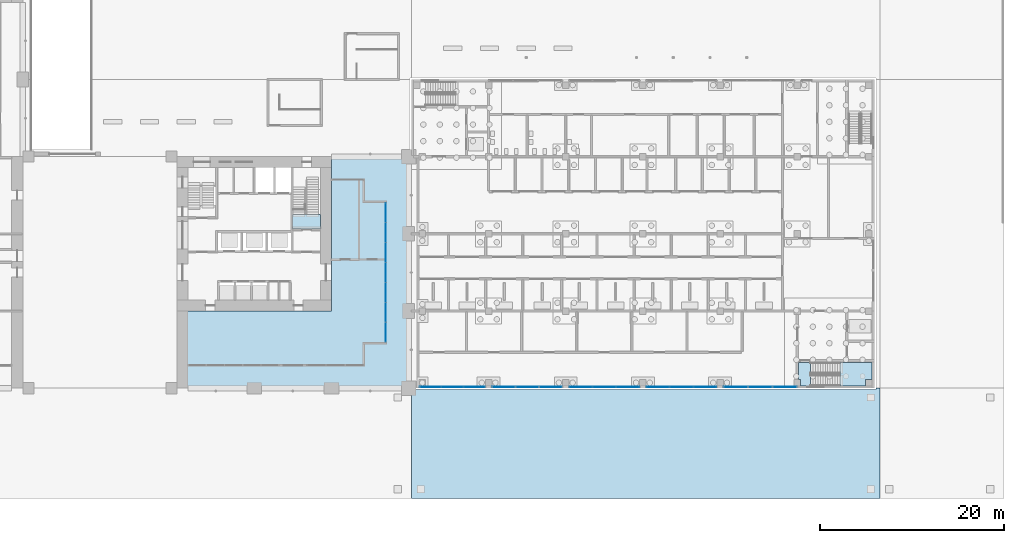
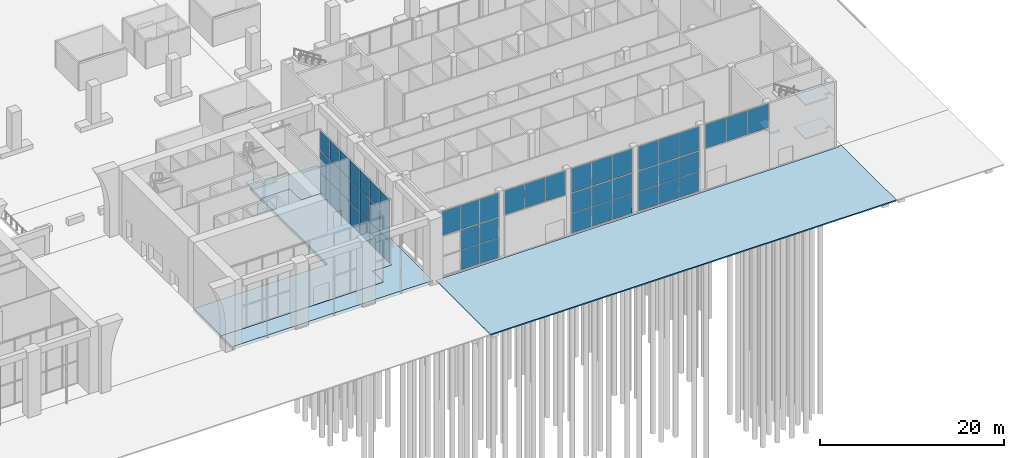
# One storey, part 15 of 46: 52 plates, 8 slabs, 11 elements without a shape of their own.
"""IFC4 building model written with IfcOpenShell, lengths in metres."""

from ifc_helpers import new_model, si_unit, direction, frame, origin, origin_2d, place, context, subcontext, project, spatial, polyline, rectangle, outline, extrude, material, layer, layer_set, type_object, element, aggregate, save


model = new_model("IFC4")

# Units and contexts
model_context = context("Model", 3, precision=1e-05, world=origin(), true_north=direction((0.0, 1.0)))
body_context = subcontext(model_context, "Body", "Model", "MODEL_VIEW")
ifc_project = project(units=[si_unit("LENGTHUNIT", "METRE"), si_unit("AREAUNIT", "SQUARE_METRE"), si_unit("VOLUMEUNIT", "CUBIC_METRE"), si_unit("PLANEANGLEUNIT", "RADIAN"), si_unit("MASSUNIT", "GRAM", prefix="KILO")], contexts=[model_context])

# Site, building, storey
site_placement = place(None, origin())
site = spatial("IfcSite", under=ifc_project, at=site_placement, CompositionType="ELEMENT")
building_placement = place(site_placement, origin())
building = spatial("IfcBuilding", under=site, at=building_placement, Name="Vermilion Gate Residences", CompositionType="ELEMENT")
storey_placement = place(building_placement, origin())
storey = spatial("IfcBuildingStorey", under=building, at=storey_placement, Name="L00", CompositionType="ELEMENT", Elevation=0.0)

# Curtain wall, plates
ifc_material_1 = material(Name="Aluminium and glass", Category="aluminium")
ifc_layer_1 = layer(ifc_material_1, 0.159912109375)
ifc_layer_set_1 = layer_set([ifc_layer_1], Name="SHOPFRONT CURTAIN WALL (MARKET HALL)")
curtain_wall_type_1 = type_object("IfcCurtainWallType", Name="SHOPFRONT CURTAIN WALL (MARKET HALL)", PredefinedType="NOTDEFINED", material=ifc_layer_set_1)
curtain_wall_1_placement = place(storey_placement, origin())
curtain_wall_1 = element("IfcCurtainWall", 1, at=curtain_wall_1_placement, inside=storey, type_object=curtain_wall_type_1, Name="Shopfront glazing", PredefinedType="NOTDEFINED")
ifc_material_2 = material(Name="Glass", Category="glass")
ifc_layer_2 = layer(ifc_material_2, 0.028076171875)
ifc_layer_set_2 = layer_set([ifc_layer_2], Name="GLAZING PANEL 28 (MARKET HALL)")
plate_type_1 = type_object("IfcPlateType", Name="GLAZING PANEL 28 (MARKET HALL)", PredefinedType="CURTAIN_PANEL", material=ifc_layer_set_2)
plate_1_placement = place(storey_placement, frame((71.949951171875, 0.125, 0.06005859375), z_axis=(0.0, 0.0, 1.0), x_axis=(1.0, 0.0, 0.0)))
plate_1 = element("IfcPlate", 2, at=plate_1_placement, type_object=plate_type_1, Name="HC3 panel 2.1", PredefinedType="CURTAIN_PANEL", context=body_context, shape_type="SweptSolid", body=[
    extrude(rectangle(XDim=2.340087890625, YDim=0.028076171875, at=origin_2d()), origin(), (0.0, 0.0, 1.0), 2.610107421875),
])
plate_2_placement = place(storey_placement, frame((71.949951171875, 0.125, 2.72998046875), z_axis=(0.0, 0.0, 1.0), x_axis=(1.0, 0.0, 0.0)))
plate_2 = element("IfcPlate", 3, at=plate_2_placement, type_object=plate_type_1, Name="HC3 panel 2.2", PredefinedType="CURTAIN_PANEL", context=body_context, shape_type="SweptSolid", body=[
    extrude(rectangle(XDim=2.340087890625, YDim=0.028076171875, at=origin_2d()), origin(), (0.0, 0.0, 1.0), 2.610107421875),
])
plate_3_placement = place(storey_placement, frame((74.3349609375, 0.125, 0.06005859375), z_axis=(0.0, 0.0, 1.0), x_axis=(1.0, 0.0, 0.0)))
plate_3 = element("IfcPlate", 4, at=plate_3_placement, type_object=plate_type_1, Name="HC3 panel 3.1", PredefinedType="CURTAIN_PANEL", context=body_context, shape_type="SweptSolid", body=[
    extrude(rectangle(XDim=2.31005859375, YDim=0.028076171875, at=origin_2d()), origin(), (0.0, 0.0, 1.0), 2.610107421875),
])
plate_4_placement = place(storey_placement, frame((74.3349609375, 0.125, 2.72998046875), z_axis=(0.0, 0.0, 1.0), x_axis=(1.0, 0.0, 0.0)))
plate_4 = element("IfcPlate", 5, at=plate_4_placement, type_object=plate_type_1, Name="HC3 panel 3.2", PredefinedType="CURTAIN_PANEL", context=body_context, shape_type="SweptSolid", body=[
    extrude(rectangle(XDim=2.31005859375, YDim=0.028076171875, at=origin_2d()), origin(), (0.0, 0.0, 1.0), 2.610107421875),
])
aggregate(curtain_wall_1, [plate_1, plate_2, plate_3, plate_4])

ifc_material_3 = material(Name="Aluminium and glass", Category="aluminium")
ifc_layer_3 = layer(ifc_material_3, 0.159912109375)
ifc_layer_set_3 = layer_set([ifc_layer_3], Name="CLERESTORY CURTAIN WALL (MARKET HALL)")
curtain_wall_type_2 = type_object("IfcCurtainWallType", Name="CLERESTORY CURTAIN WALL (MARKET HALL)", PredefinedType="NOTDEFINED", material=ifc_layer_set_3)
curtain_wall_2_placement = place(storey_placement, origin())
curtain_wall_2 = element("IfcCurtainWall", 6, at=curtain_wall_2_placement, inside=storey, type_object=curtain_wall_type_2, Name="Clerestory glazing", PredefinedType="NOTDEFINED")
plate_5_placement = place(storey_placement, frame((69.56494140625, 0.125, 5.4599609375), z_axis=(0.0, 0.0, 1.0), x_axis=(1.0, 0.0, 0.0)))
plate_5 = element("IfcPlate", 7, at=plate_5_placement, type_object=plate_type_1, Name="HC4 panel 1.1", PredefinedType="CURTAIN_PANEL", context=body_context, shape_type="SweptSolid", body=[
    extrude(rectangle(XDim=2.31005859375, YDim=0.028076171875, at=origin_2d()), origin(), (0.0, 0.0, 1.0), 3.179931640625),
])
plate_6_placement = place(storey_placement, frame((71.949951171875, 0.125, 5.4599609375), z_axis=(0.0, 0.0, 1.0), x_axis=(1.0, 0.0, 0.0)))
plate_6 = element("IfcPlate", 8, at=plate_6_placement, type_object=plate_type_1, Name="HC4 panel 2.1", PredefinedType="CURTAIN_PANEL", context=body_context, shape_type="SweptSolid", body=[
    extrude(rectangle(XDim=2.340087890625, YDim=0.028076171875, at=origin_2d()), origin(), (0.0, 0.0, 1.0), 3.179931640625),
])
plate_7_placement = place(storey_placement, frame((74.3349609375, 0.125, 5.4599609375), z_axis=(0.0, 0.0, 1.0), x_axis=(1.0, 0.0, 0.0)))
plate_7 = element("IfcPlate", 9, at=plate_7_placement, type_object=plate_type_1, Name="HC4 panel 3.1", PredefinedType="CURTAIN_PANEL", context=body_context, shape_type="SweptSolid", body=[
    extrude(rectangle(XDim=2.31005859375, YDim=0.028076171875, at=origin_2d()), origin(), (0.0, 0.0, 1.0), 3.179931640625),
])
aggregate(curtain_wall_2, [plate_5, plate_6, plate_7])

curtain_wall_3_placement = place(storey_placement, origin())
curtain_wall_3 = element("IfcCurtainWall", 10, at=curtain_wall_3_placement, inside=storey, type_object=curtain_wall_type_2, Name="Clerestory glazing", PredefinedType="NOTDEFINED")
plate_8_placement = place(storey_placement, frame((77.54833984375, 0.125, 5.4599609375), z_axis=(0.0, 0.0, 1.0), x_axis=(1.0, 0.0, 0.0)))
plate_8 = element("IfcPlate", 11, at=plate_8_placement, type_object=plate_type_1, Name="HC4 panel 1.1", PredefinedType="CURTAIN_PANEL", context=body_context, shape_type="SweptSolid", body=[
    extrude(rectangle(XDim=2.4765625, YDim=0.028076171875, at=origin_2d()), origin(), (0.0, 0.0, 1.0), 3.179931640625),
])
plate_9_placement = place(storey_placement, frame((80.10009765625, 0.125, 5.4599609375), z_axis=(0.0, 0.0, 1.0), x_axis=(1.0, 0.0, 0.0)))
plate_9 = element("IfcPlate", 12, at=plate_9_placement, type_object=plate_type_1, Name="HC4 panel 2.1", PredefinedType="CURTAIN_PANEL", context=body_context, shape_type="SweptSolid", body=[
    extrude(rectangle(XDim=2.506591796875, YDim=0.028076171875, at=origin_2d()), origin(), (0.0, 0.0, 1.0), 3.179931640625),
])
plate_10_placement = place(storey_placement, frame((82.651611328125, 0.125, 5.4599609375), z_axis=(0.0, 0.0, 1.0), x_axis=(1.0, 0.0, 0.0)))
plate_10 = element("IfcPlate", 13, at=plate_10_placement, type_object=plate_type_1, Name="HC4 panel 3.1", PredefinedType="CURTAIN_PANEL", context=body_context, shape_type="SweptSolid", body=[
    extrude(rectangle(XDim=2.4765625, YDim=0.028076171875, at=origin_2d()), origin(), (0.0, 0.0, 1.0), 3.179931640625),
])
aggregate(curtain_wall_3, [plate_8, plate_9, plate_10])

curtain_wall_4_placement = place(storey_placement, origin())
curtain_wall_4 = element("IfcCurtainWall", 14, at=curtain_wall_4_placement, inside=storey, type_object=curtain_wall_type_1, Name="Shopfront glazing", PredefinedType="NOTDEFINED")
plate_11_placement = place(storey_placement, frame((85.9482421875, 0.125, 0.06005859375), z_axis=(0.0, 0.0, 1.0), x_axis=(1.0, 0.0, 0.0)))
plate_11 = element("IfcPlate", 15, at=plate_11_placement, type_object=plate_type_1, Name="HC3 panel 1.1", PredefinedType="CURTAIN_PANEL", context=body_context, shape_type="SweptSolid", body=[
    extrude(rectangle(XDim=2.4765625, YDim=0.028076171875, at=origin_2d()), origin(), (0.0, 0.0, 1.0), 2.610107421875),
])
plate_12_placement = place(storey_placement, frame((85.9482421875, 0.125, 2.72998046875), z_axis=(0.0, 0.0, 1.0), x_axis=(1.0, 0.0, 0.0)))
plate_12 = element("IfcPlate", 16, at=plate_12_placement, type_object=plate_type_1, Name="HC3 panel 1.2", PredefinedType="CURTAIN_PANEL", context=body_context, shape_type="SweptSolid", body=[
    extrude(rectangle(XDim=2.4765625, YDim=0.028076171875, at=origin_2d()), origin(), (0.0, 0.0, 1.0), 2.610107421875),
])
plate_13_placement = place(storey_placement, frame((88.5, 0.125, 0.06005859375), z_axis=(0.0, 0.0, 1.0), x_axis=(1.0, 0.0, 0.0)))
plate_13 = element("IfcPlate", 17, at=plate_13_placement, type_object=plate_type_1, Name="HC3 panel 2.1", PredefinedType="CURTAIN_PANEL", context=body_context, shape_type="SweptSolid", body=[
    extrude(rectangle(XDim=2.506591796875, YDim=0.028076171875, at=origin_2d()), origin(), (0.0, 0.0, 1.0), 2.610107421875),
])
plate_14_placement = place(storey_placement, frame((88.5, 0.125, 2.72998046875), z_axis=(0.0, 0.0, 1.0), x_axis=(1.0, 0.0, 0.0)))
plate_14 = element("IfcPlate", 18, at=plate_14_placement, type_object=plate_type_1, Name="HC3 panel 2.2", PredefinedType="CURTAIN_PANEL", context=body_context, shape_type="SweptSolid", body=[
    extrude(rectangle(XDim=2.506591796875, YDim=0.028076171875, at=origin_2d()), origin(), (0.0, 0.0, 1.0), 2.610107421875),
])
plate_15_placement = place(storey_placement, frame((91.0517578125, 0.125, 0.06005859375), z_axis=(0.0, 0.0, 1.0), x_axis=(1.0, 0.0, 0.0)))
plate_15 = element("IfcPlate", 19, at=plate_15_placement, type_object=plate_type_1, Name="HC3 panel 3.1", PredefinedType="CURTAIN_PANEL", context=body_context, shape_type="SweptSolid", body=[
    extrude(rectangle(XDim=2.4765625, YDim=0.028076171875, at=origin_2d()), origin(), (0.0, 0.0, 1.0), 2.610107421875),
])
plate_16_placement = place(storey_placement, frame((91.0517578125, 0.125, 2.72998046875), z_axis=(0.0, 0.0, 1.0), x_axis=(1.0, 0.0, 0.0)))
plate_16 = element("IfcPlate", 20, at=plate_16_placement, type_object=plate_type_1, Name="HC3 panel 3.2", PredefinedType="CURTAIN_PANEL", context=body_context, shape_type="SweptSolid", body=[
    extrude(rectangle(XDim=2.4765625, YDim=0.028076171875, at=origin_2d()), origin(), (0.0, 0.0, 1.0), 2.610107421875),
])
aggregate(curtain_wall_4, [plate_11, plate_12, plate_13, plate_14, plate_15, plate_16])

curtain_wall_5_placement = place(storey_placement, origin())
curtain_wall_5 = element("IfcCurtainWall", 21, at=curtain_wall_5_placement, inside=storey, type_object=curtain_wall_type_2, Name="Clerestory glazing", PredefinedType="NOTDEFINED")
plate_17_placement = place(storey_placement, frame((85.9482421875, 0.125, 5.4599609375), z_axis=(0.0, 0.0, 1.0), x_axis=(1.0, 0.0, 0.0)))
plate_17 = element("IfcPlate", 22, at=plate_17_placement, type_object=plate_type_1, Name="HC4 panel 1.1", PredefinedType="CURTAIN_PANEL", context=body_context, shape_type="SweptSolid", body=[
    extrude(rectangle(XDim=2.4765625, YDim=0.028076171875, at=origin_2d()), origin(), (0.0, 0.0, 1.0), 3.179931640625),
])
plate_18_placement = place(storey_placement, frame((88.5, 0.125, 5.4599609375), z_axis=(0.0, 0.0, 1.0), x_axis=(1.0, 0.0, 0.0)))
plate_18 = element("IfcPlate", 23, at=plate_18_placement, type_object=plate_type_1, Name="HC4 panel 2.1", PredefinedType="CURTAIN_PANEL", context=body_context, shape_type="SweptSolid", body=[
    extrude(rectangle(XDim=2.506591796875, YDim=0.028076171875, at=origin_2d()), origin(), (0.0, 0.0, 1.0), 3.179931640625),
])
plate_19_placement = place(storey_placement, frame((91.0517578125, 0.125, 5.4599609375), z_axis=(0.0, 0.0, 1.0), x_axis=(1.0, 0.0, 0.0)))
plate_19 = element("IfcPlate", 24, at=plate_19_placement, type_object=plate_type_1, Name="HC4 panel 3.1", PredefinedType="CURTAIN_PANEL", context=body_context, shape_type="SweptSolid", body=[
    extrude(rectangle(XDim=2.4765625, YDim=0.028076171875, at=origin_2d()), origin(), (0.0, 0.0, 1.0), 3.179931640625),
])
aggregate(curtain_wall_5, [plate_17, plate_18, plate_19])

curtain_wall_6_placement = place(storey_placement, origin())
curtain_wall_6 = element("IfcCurtainWall", 25, at=curtain_wall_6_placement, inside=storey, type_object=curtain_wall_type_1, Name="Shopfront glazing", PredefinedType="NOTDEFINED")
plate_20_placement = place(storey_placement, frame((94.348388671875, 0.125, 0.06005859375), z_axis=(0.0, 0.0, 1.0), x_axis=(1.0, 0.0, 0.0)))
plate_20 = element("IfcPlate", 26, at=plate_20_placement, type_object=plate_type_1, Name="HC3 panel 1.1", PredefinedType="CURTAIN_PANEL", context=body_context, shape_type="SweptSolid", body=[
    extrude(rectangle(XDim=2.4765625, YDim=0.028076171875, at=origin_2d()), origin(), (0.0, 0.0, 1.0), 2.610107421875),
])
plate_21_placement = place(storey_placement, frame((94.348388671875, 0.125, 2.72998046875), z_axis=(0.0, 0.0, 1.0), x_axis=(1.0, 0.0, 0.0)))
plate_21 = element("IfcPlate", 27, at=plate_21_placement, type_object=plate_type_1, Name="HC3 panel 1.2", PredefinedType="CURTAIN_PANEL", context=body_context, shape_type="SweptSolid", body=[
    extrude(rectangle(XDim=2.4765625, YDim=0.028076171875, at=origin_2d()), origin(), (0.0, 0.0, 1.0), 2.610107421875),
])
plate_22_placement = place(storey_placement, frame((96.89990234375, 0.125, 0.06005859375), z_axis=(0.0, 0.0, 1.0), x_axis=(1.0, 0.0, 0.0)))
plate_22 = element("IfcPlate", 28, at=plate_22_placement, type_object=plate_type_1, Name="HC3 panel 2.1", PredefinedType="CURTAIN_PANEL", context=body_context, shape_type="SweptSolid", body=[
    extrude(rectangle(XDim=2.506591796875, YDim=0.028076171875, at=origin_2d()), origin(), (0.0, 0.0, 1.0), 2.610107421875),
])
plate_23_placement = place(storey_placement, frame((96.89990234375, 0.125, 2.72998046875), z_axis=(0.0, 0.0, 1.0), x_axis=(1.0, 0.0, 0.0)))
plate_23 = element("IfcPlate", 29, at=plate_23_placement, type_object=plate_type_1, Name="HC3 panel 2.2", PredefinedType="CURTAIN_PANEL", context=body_context, shape_type="SweptSolid", body=[
    extrude(rectangle(XDim=2.506591796875, YDim=0.028076171875, at=origin_2d()), origin(), (0.0, 0.0, 1.0), 2.610107421875),
])
plate_24_placement = place(storey_placement, frame((99.45166015625, 0.125, 0.06005859375), z_axis=(0.0, 0.0, 1.0), x_axis=(1.0, 0.0, 0.0)))
plate_24 = element("IfcPlate", 30, at=plate_24_placement, type_object=plate_type_1, Name="HC3 panel 3.1", PredefinedType="CURTAIN_PANEL", context=body_context, shape_type="SweptSolid", body=[
    extrude(rectangle(XDim=2.4765625, YDim=0.028076171875, at=origin_2d()), origin(), (0.0, 0.0, 1.0), 2.610107421875),
])
plate_25_placement = place(storey_placement, frame((99.45166015625, 0.125, 2.72998046875), z_axis=(0.0, 0.0, 1.0), x_axis=(1.0, 0.0, 0.0)))
plate_25 = element("IfcPlate", 31, at=plate_25_placement, type_object=plate_type_1, Name="HC3 panel 3.2", PredefinedType="CURTAIN_PANEL", context=body_context, shape_type="SweptSolid", body=[
    extrude(rectangle(XDim=2.4765625, YDim=0.028076171875, at=origin_2d()), origin(), (0.0, 0.0, 1.0), 2.610107421875),
])
aggregate(curtain_wall_6, [plate_20, plate_21, plate_22, plate_23, plate_24, plate_25])

curtain_wall_7_placement = place(storey_placement, origin())
curtain_wall_7 = element("IfcCurtainWall", 32, at=curtain_wall_7_placement, inside=storey, type_object=curtain_wall_type_2, Name="Clerestory glazing", PredefinedType="NOTDEFINED")
plate_26_placement = place(storey_placement, frame((94.348388671875, 0.125, 5.4599609375), z_axis=(0.0, 0.0, 1.0), x_axis=(1.0, 0.0, 0.0)))
plate_26 = element("IfcPlate", 33, at=plate_26_placement, type_object=plate_type_1, Name="HC4 panel 1.1", PredefinedType="CURTAIN_PANEL", context=body_context, shape_type="SweptSolid", body=[
    extrude(rectangle(XDim=2.4765625, YDim=0.028076171875, at=origin_2d()), origin(), (0.0, 0.0, 1.0), 3.179931640625),
])
plate_27_placement = place(storey_placement, frame((96.89990234375, 0.125, 5.4599609375), z_axis=(0.0, 0.0, 1.0), x_axis=(1.0, 0.0, 0.0)))
plate_27 = element("IfcPlate", 34, at=plate_27_placement, type_object=plate_type_1, Name="HC4 panel 2.1", PredefinedType="CURTAIN_PANEL", context=body_context, shape_type="SweptSolid", body=[
    extrude(rectangle(XDim=2.506591796875, YDim=0.028076171875, at=origin_2d()), origin(), (0.0, 0.0, 1.0), 3.179931640625),
])
plate_28_placement = place(storey_placement, frame((99.45166015625, 0.125, 5.4599609375), z_axis=(0.0, 0.0, 1.0), x_axis=(1.0, 0.0, 0.0)))
plate_28 = element("IfcPlate", 35, at=plate_28_placement, type_object=plate_type_1, Name="HC4 panel 3.1", PredefinedType="CURTAIN_PANEL", context=body_context, shape_type="SweptSolid", body=[
    extrude(rectangle(XDim=2.4765625, YDim=0.028076171875, at=origin_2d()), origin(), (0.0, 0.0, 1.0), 3.179931640625),
])
aggregate(curtain_wall_7, [plate_26, plate_27, plate_28])

curtain_wall_8_placement = place(storey_placement, origin())
curtain_wall_8 = element("IfcCurtainWall", 36, at=curtain_wall_8_placement, inside=storey, type_object=curtain_wall_type_2, Name="Clerestory glazing", PredefinedType="NOTDEFINED")
plate_29_placement = place(storey_placement, frame((102.806640625, 0.125, 5.4599609375), z_axis=(0.0, 0.0, 1.0), x_axis=(1.0, 0.0, 0.0)))
plate_29 = element("IfcPlate", 37, at=plate_29_placement, type_object=plate_type_1, Name="HC4 panel 1.1", PredefinedType="CURTAIN_PANEL", context=body_context, shape_type="SweptSolid", body=[
    extrude(rectangle(XDim=2.59326171875, YDim=0.028076171875, at=origin_2d()), origin(), (0.0, 0.0, 1.0), 3.179931640625),
])
plate_30_placement = place(storey_placement, frame((105.47509765625, 0.125, 5.4599609375), z_axis=(0.0, 0.0, 1.0), x_axis=(1.0, 0.0, 0.0)))
plate_30 = element("IfcPlate", 38, at=plate_30_placement, type_object=plate_type_1, Name="HC4 panel 2.1", PredefinedType="CURTAIN_PANEL", context=body_context, shape_type="SweptSolid", body=[
    extrude(rectangle(XDim=2.623291015625, YDim=0.028076171875, at=origin_2d()), origin(), (0.0, 0.0, 1.0), 3.179931640625),
])
plate_31_placement = place(storey_placement, frame((108.143310546875, 0.125, 5.4599609375), z_axis=(0.0, 0.0, 1.0), x_axis=(1.0, 0.0, 0.0)))
plate_31 = element("IfcPlate", 39, at=plate_31_placement, type_object=plate_type_1, Name="HC4 panel 3.1", PredefinedType="CURTAIN_PANEL", context=body_context, shape_type="SweptSolid", body=[
    extrude(rectangle(XDim=2.59326171875, YDim=0.028076171875, at=origin_2d()), origin(), (0.0, 0.0, 1.0), 3.179931640625),
])
aggregate(curtain_wall_8, [plate_29, plate_30, plate_31])

ifc_material_4 = material(Name="Aluminium and glass", Category="aluminium")
curtain_wall_type_3 = type_object("IfcCurtainWallType", Name="LOBBY ENTRANCE GLAZING CURTAIN WALL", PredefinedType="NOTDEFINED", material=ifc_material_4)
curtain_wall_9_placement = place(storey_placement, origin())
curtain_wall_9 = element("IfcCurtainWall", 40, at=curtain_wall_9_placement, inside=storey, type_object=curtain_wall_type_3, Name="Lobby Entrance Glazing 120", PredefinedType="NOTDEFINED")
ifc_material_5 = material(Name="Low-iron laminated glass", Category="glass")
ifc_layer_4 = layer(ifc_material_5, 0.035888671875)
ifc_layer_set_4 = layer_set([ifc_layer_4], Name="LOBBY ENTRANCE GLAZING GLASS PANEL 36")
plate_type_2 = type_object("IfcPlateType", Name="LOBBY ENTRANCE GLAZING GLASS PANEL 36", PredefinedType="CURTAIN_PANEL", material=ifc_layer_set_4)
plate_32_placement = place(storey_placement, frame((64.699951171875, 6.105712890625, 0.080078125), z_axis=(0.0, 0.0, 1.0), x_axis=(0.0, 1.0, 0.0)))
plate_32 = element("IfcPlate", 41, at=plate_32_placement, type_object=plate_type_2, Name="ECW5 panel 1.1", PredefinedType="CURTAIN_PANEL", context=body_context, shape_type="SweptSolid", body=[
    extrude(rectangle(XDim=2.051513671875, YDim=0.035888671875, at=origin_2d()), origin(), (0.0, 0.0, 1.0), 2.8798828125),
])
plate_33_placement = place(storey_placement, frame((64.699951171875, 6.105712890625, 3.0400390625), z_axis=(0.0, 0.0, 1.0), x_axis=(0.0, 1.0, 0.0)))
plate_33 = element("IfcPlate", 42, at=plate_33_placement, type_object=plate_type_2, Name="ECW5 panel 1.2", PredefinedType="CURTAIN_PANEL", context=body_context, shape_type="SweptSolid", body=[
    extrude(rectangle(XDim=2.051513671875, YDim=0.035888671875, at=origin_2d()), origin(), (0.0, 0.0, 1.0), 2.919921875),
])
plate_34_placement = place(storey_placement, frame((64.699951171875, 6.105712890625, 6.0400390625), z_axis=(0.0, 0.0, 1.0), x_axis=(0.0, 1.0, 0.0)))
plate_34 = element("IfcPlate", 43, at=plate_34_placement, type_object=plate_type_2, Name="ECW5 panel 1.3", PredefinedType="CURTAIN_PANEL", context=body_context, shape_type="SweptSolid", body=[
    extrude(rectangle(XDim=2.051513671875, YDim=0.035888671875, at=origin_2d()), origin(), (0.0, 0.0, 1.0), 2.580078125),
])
plate_35_placement = place(storey_placement, frame((64.699951171875, 8.257080078125, 0.080078125), z_axis=(0.0, 0.0, 1.0), x_axis=(0.0, 1.0, 0.0)))
plate_35 = element("IfcPlate", 44, at=plate_35_placement, type_object=plate_type_2, Name="ECW5 panel 2.1", PredefinedType="CURTAIN_PANEL", context=body_context, shape_type="SweptSolid", body=[
    extrude(rectangle(XDim=2.09130859375, YDim=0.035888671875, at=origin_2d()), origin(), (0.0, 0.0, 1.0), 2.8798828125),
])
plate_36_placement = place(storey_placement, frame((64.699951171875, 8.257080078125, 3.0400390625), z_axis=(0.0, 0.0, 1.0), x_axis=(0.0, 1.0, 0.0)))
plate_36 = element("IfcPlate", 45, at=plate_36_placement, type_object=plate_type_2, Name="ECW5 panel 2.2", PredefinedType="CURTAIN_PANEL", context=body_context, shape_type="SweptSolid", body=[
    extrude(rectangle(XDim=2.09130859375, YDim=0.035888671875, at=origin_2d()), origin(), (0.0, 0.0, 1.0), 2.919921875),
])
plate_37_placement = place(storey_placement, frame((64.699951171875, 8.257080078125, 6.0400390625), z_axis=(0.0, 0.0, 1.0), x_axis=(0.0, 1.0, 0.0)))
plate_37 = element("IfcPlate", 46, at=plate_37_placement, type_object=plate_type_2, Name="ECW5 panel 2.3", PredefinedType="CURTAIN_PANEL", context=body_context, shape_type="SweptSolid", body=[
    extrude(rectangle(XDim=2.09130859375, YDim=0.035888671875, at=origin_2d()), origin(), (0.0, 0.0, 1.0), 2.580078125),
])
plate_38_placement = place(storey_placement, frame((64.699951171875, 10.428466796875, 0.080078125), z_axis=(0.0, 0.0, 1.0), x_axis=(0.0, 1.0, 0.0)))
plate_38 = element("IfcPlate", 47, at=plate_38_placement, type_object=plate_type_2, Name="ECW5 panel 3.1", PredefinedType="CURTAIN_PANEL", context=body_context, shape_type="SweptSolid", body=[
    extrude(rectangle(XDim=2.09130859375, YDim=0.035888671875, at=origin_2d()), origin(), (0.0, 0.0, 1.0), 2.8798828125),
])
plate_39_placement = place(storey_placement, frame((64.699951171875, 10.428466796875, 3.0400390625), z_axis=(0.0, 0.0, 1.0), x_axis=(0.0, 1.0, 0.0)))
plate_39 = element("IfcPlate", 48, at=plate_39_placement, type_object=plate_type_2, Name="ECW5 panel 3.2", PredefinedType="CURTAIN_PANEL", context=body_context, shape_type="SweptSolid", body=[
    extrude(rectangle(XDim=2.09130859375, YDim=0.035888671875, at=origin_2d()), origin(), (0.0, 0.0, 1.0), 2.919921875),
])
plate_40_placement = place(storey_placement, frame((64.699951171875, 10.428466796875, 6.0400390625), z_axis=(0.0, 0.0, 1.0), x_axis=(0.0, 1.0, 0.0)))
plate_40 = element("IfcPlate", 49, at=plate_40_placement, type_object=plate_type_2, Name="ECW5 panel 3.3", PredefinedType="CURTAIN_PANEL", context=body_context, shape_type="SweptSolid", body=[
    extrude(rectangle(XDim=2.09130859375, YDim=0.035888671875, at=origin_2d()), origin(), (0.0, 0.0, 1.0), 2.580078125),
])
plate_41_placement = place(storey_placement, frame((64.699951171875, 12.60009765625, 0.080078125), z_axis=(0.0, 0.0, 1.0), x_axis=(0.0, 1.0, 0.0)))
plate_41 = element("IfcPlate", 50, at=plate_41_placement, type_object=plate_type_2, Name="ECW5 panel 4.1", PredefinedType="CURTAIN_PANEL", context=body_context, shape_type="SweptSolid", body=[
    extrude(rectangle(XDim=2.09130859375, YDim=0.035888671875, at=origin_2d()), origin(), (0.0, 0.0, 1.0), 2.8798828125),
])
plate_42_placement = place(storey_placement, frame((64.699951171875, 12.60009765625, 3.0400390625), z_axis=(0.0, 0.0, 1.0), x_axis=(0.0, 1.0, 0.0)))
plate_42 = element("IfcPlate", 51, at=plate_42_placement, type_object=plate_type_2, Name="ECW5 panel 4.2", PredefinedType="CURTAIN_PANEL", context=body_context, shape_type="SweptSolid", body=[
    extrude(rectangle(XDim=2.09130859375, YDim=0.035888671875, at=origin_2d()), origin(), (0.0, 0.0, 1.0), 2.919921875),
])
plate_43_placement = place(storey_placement, frame((64.699951171875, 12.60009765625, 6.0400390625), z_axis=(0.0, 0.0, 1.0), x_axis=(0.0, 1.0, 0.0)))
plate_43 = element("IfcPlate", 52, at=plate_43_placement, type_object=plate_type_2, Name="ECW5 panel 4.3", PredefinedType="CURTAIN_PANEL", context=body_context, shape_type="SweptSolid", body=[
    extrude(rectangle(XDim=2.09130859375, YDim=0.035888671875, at=origin_2d()), origin(), (0.0, 0.0, 1.0), 2.580078125),
])
plate_44_placement = place(storey_placement, frame((64.699951171875, 14.771484375, 0.080078125), z_axis=(0.0, 0.0, 1.0), x_axis=(0.0, 1.0, 0.0)))
plate_44 = element("IfcPlate", 53, at=plate_44_placement, type_object=plate_type_2, Name="ECW5 panel 5.1", PredefinedType="CURTAIN_PANEL", context=body_context, shape_type="SweptSolid", body=[
    extrude(rectangle(XDim=2.09130859375, YDim=0.035888671875, at=origin_2d()), origin(), (0.0, 0.0, 1.0), 2.8798828125),
])
plate_45_placement = place(storey_placement, frame((64.699951171875, 14.771484375, 3.0400390625), z_axis=(0.0, 0.0, 1.0), x_axis=(0.0, 1.0, 0.0)))
plate_45 = element("IfcPlate", 54, at=plate_45_placement, type_object=plate_type_2, Name="ECW5 panel 5.2", PredefinedType="CURTAIN_PANEL", context=body_context, shape_type="SweptSolid", body=[
    extrude(rectangle(XDim=2.09130859375, YDim=0.035888671875, at=origin_2d()), origin(), (0.0, 0.0, 1.0), 2.919921875),
])
plate_46_placement = place(storey_placement, frame((64.699951171875, 14.771484375, 6.0400390625), z_axis=(0.0, 0.0, 1.0), x_axis=(0.0, 1.0, 0.0)))
plate_46 = element("IfcPlate", 55, at=plate_46_placement, type_object=plate_type_2, Name="ECW5 panel 5.3", PredefinedType="CURTAIN_PANEL", context=body_context, shape_type="SweptSolid", body=[
    extrude(rectangle(XDim=2.09130859375, YDim=0.035888671875, at=origin_2d()), origin(), (0.0, 0.0, 1.0), 2.580078125),
])
plate_47_placement = place(storey_placement, frame((64.699951171875, 16.94287109375, 0.080078125), z_axis=(0.0, 0.0, 1.0), x_axis=(0.0, 1.0, 0.0)))
plate_47 = element("IfcPlate", 56, at=plate_47_placement, type_object=plate_type_2, Name="ECW5 panel 6.1", PredefinedType="CURTAIN_PANEL", context=body_context, shape_type="SweptSolid", body=[
    extrude(rectangle(XDim=2.09130859375, YDim=0.035888671875, at=origin_2d()), origin(), (0.0, 0.0, 1.0), 2.8798828125),
])
plate_48_placement = place(storey_placement, frame((64.699951171875, 16.94287109375, 3.0400390625), z_axis=(0.0, 0.0, 1.0), x_axis=(0.0, 1.0, 0.0)))
plate_48 = element("IfcPlate", 57, at=plate_48_placement, type_object=plate_type_2, Name="ECW5 panel 6.2", PredefinedType="CURTAIN_PANEL", context=body_context, shape_type="SweptSolid", body=[
    extrude(rectangle(XDim=2.09130859375, YDim=0.035888671875, at=origin_2d()), origin(), (0.0, 0.0, 1.0), 2.919921875),
])
plate_49_placement = place(storey_placement, frame((64.699951171875, 16.94287109375, 6.0400390625), z_axis=(0.0, 0.0, 1.0), x_axis=(0.0, 1.0, 0.0)))
plate_49 = element("IfcPlate", 58, at=plate_49_placement, type_object=plate_type_2, Name="ECW5 panel 6.3", PredefinedType="CURTAIN_PANEL", context=body_context, shape_type="SweptSolid", body=[
    extrude(rectangle(XDim=2.09130859375, YDim=0.035888671875, at=origin_2d()), origin(), (0.0, 0.0, 1.0), 2.580078125),
])
plate_50_placement = place(storey_placement, frame((64.699951171875, 19.09423828125, 0.080078125), z_axis=(0.0, 0.0, 1.0), x_axis=(0.0, 1.0, 0.0)))
plate_50 = element("IfcPlate", 59, at=plate_50_placement, type_object=plate_type_2, Name="ECW5 panel 7.1", PredefinedType="CURTAIN_PANEL", context=body_context, shape_type="SweptSolid", body=[
    extrude(rectangle(XDim=2.051513671875, YDim=0.035888671875, at=origin_2d()), origin(), (0.0, 0.0, 1.0), 2.8798828125),
])
plate_51_placement = place(storey_placement, frame((64.699951171875, 19.09423828125, 3.0400390625), z_axis=(0.0, 0.0, 1.0), x_axis=(0.0, 1.0, 0.0)))
plate_51 = element("IfcPlate", 60, at=plate_51_placement, type_object=plate_type_2, Name="ECW5 panel 7.2", PredefinedType="CURTAIN_PANEL", context=body_context, shape_type="SweptSolid", body=[
    extrude(rectangle(XDim=2.051513671875, YDim=0.035888671875, at=origin_2d()), origin(), (0.0, 0.0, 1.0), 2.919921875),
])
plate_52_placement = place(storey_placement, frame((64.699951171875, 19.09423828125, 6.0400390625), z_axis=(0.0, 0.0, 1.0), x_axis=(0.0, 1.0, 0.0)))
plate_52 = element("IfcPlate", 61, at=plate_52_placement, type_object=plate_type_2, Name="ECW5 panel 7.3", PredefinedType="CURTAIN_PANEL", context=body_context, shape_type="SweptSolid", body=[
    extrude(rectangle(XDim=2.051513671875, YDim=0.035888671875, at=origin_2d()), origin(), (0.0, 0.0, 1.0), 2.580078125),
])
aggregate(curtain_wall_9, [plate_32, plate_33, plate_34, plate_35, plate_36, plate_37, plate_38, plate_39, plate_40, plate_41, plate_42, plate_43, plate_44, plate_45, plate_46, plate_47, plate_48, plate_49, plate_50, plate_51, plate_52])

# Slabs
ifc_material_6 = material(Name="Concrete C35", Category="concrete")
ifc_layer_5 = layer(ifc_material_6, 0.14990234375)
ifc_layer_set_5 = layer_set([ifc_layer_5], Name="PLAZA PAVING 150 C35 (MARKET HALL)")
slab_type_1 = type_object("IfcSlabType", Name="PLAZA PAVING 150 C35 (MARKET HALL)", PredefinedType="USERDEFINED", material=ifc_layer_set_5)
slab_1_placement = place(storey_placement, frame((0.0, 0.0, -0.14990234375)))
element("IfcSlab", 62, at=slab_1_placement, inside=storey, type_object=slab_type_1, Name="Plaza paving 3 (south hall forecourt)", ObjectType="PAVING", PredefinedType="USERDEFINED", context=body_context, shape_type="SweptSolid", body=[
    extrude(outline(polyline([(67.5, -12.0), (118.5, -12.0), (118.5, 0.0), (118.050048828125, 0.0), (118.050048828125, -0.14990234375), (67.5, -0.14990234375), (67.5, -12.0)])), origin(), (0.0, 0.0, 1.0), 0.14990234375),
])
ifc_material_7 = material(Name="Concrete C60", Category="concrete")
ifc_layer_6 = layer(ifc_material_7, 0.39990234375)
ifc_layer_set_6 = layer_set([ifc_layer_6], Name="RC GROUND SLAB 400 C60")
slab_type_2 = type_object("IfcSlabType", Name="RC GROUND SLAB 400 C60", PredefinedType="FLOOR", material=ifc_layer_set_6)
slab_2_placement = place(storey_placement, frame((0.0, 0.0, -0.39990234375)))
element("IfcSlab", 63, at=slab_2_placement, inside=storey, type_object=slab_type_2, Name="Floor slab L00", PredefinedType="FLOOR", context=body_context, shape_type="SweptSolid", body=[
    extrude(outline(polyline([(58.800048828125, 22.800048828125), (58.800048828125, 8.39990234375), (42.0, 8.39990234375), (42.0, 2.39990234375), (62.39990234375, 2.39990234375), (62.39990234375, 4.800048828125), (64.800048828125, 4.800048828125), (64.800048828125, 20.39990234375), (62.39990234375, 20.39990234375), (62.39990234375, 22.800048828125), (58.800048828125, 22.800048828125)])), origin(), (0.0, 0.0, 1.0), 0.39990234375),
])
ifc_material_8 = material(Name="Concrete C60 red-oxide pigmented", Category="concrete")
ifc_layer_7 = layer(ifc_material_8, 0.39990234375)
ifc_layer_set_7 = layer_set([ifc_layer_7], Name="RC LOGGIA SLAB 400 C60")
slab_type_3 = type_object("IfcSlabType", Name="RC LOGGIA SLAB 400 C60", PredefinedType="FLOOR", material=ifc_layer_set_7)
slab_3_placement = place(storey_placement, frame((0.0, 0.0, -0.39990234375)))
element("IfcSlab", 64, at=slab_3_placement, inside=storey, type_object=slab_type_3, Name="Loggia slab L00", PredefinedType="FLOOR", context=body_context, shape_type="SweptSolid", body=[
    extrude(outline(polyline([(64.800048828125, 20.39990234375), (64.800048828125, 4.800048828125), (62.39990234375, 4.800048828125), (62.39990234375, 2.39990234375), (42.0, 2.39990234375), (42.0, 0.0), (67.199951171875, 0.0), (67.199951171875, 25.199951171875), (58.800048828125, 25.199951171875), (58.800048828125, 22.800048828125), (62.39990234375, 22.800048828125), (62.39990234375, 20.39990234375), (64.800048828125, 20.39990234375)])), origin(), (0.0, 0.0, 1.0), 0.39990234375),
])

# Stair, slabs
ifc_material_9 = material(Name="Concrete C35", Category="concrete")
stair_type_1 = type_object("IfcStairType", Name="RC STAIR 1200 (MARKET HALL)", PredefinedType="HALF_TURN_STAIR", material=ifc_material_9)
stair_1_placement = place(storey_placement, origin())
stair_1 = element("IfcStair", 65, at=stair_1_placement, inside=storey, type_object=stair_type_1, Name="Stair STH2-00", PredefinedType="HALF_TURN_STAIR")
ifc_material_10 = material(Name="Concrete C35", Category="concrete")
ifc_layer_8 = layer(ifc_material_10, 0.199951171875)
ifc_layer_set_8 = layer_set([ifc_layer_8], Name="STAIR LANDING 200 C35 (MARKET HALL)")
slab_type_4 = type_object("IfcSlabType", Name="STAIR LANDING 200 C35 (MARKET HALL)", PredefinedType="LANDING", material=ifc_layer_set_8)
slab_4_placement = place(storey_placement, frame((0.0, 0.0, 2.050048828125)))
slab_4 = element("IfcSlab", 66, at=slab_4_placement, type_object=slab_type_4, Name="STH2-00 landing 1", PredefinedType="LANDING", context=body_context, shape_type="SweptSolid", body=[
    extrude(outline(polyline([(116.949951171875, 0.949951171875), (117.64990234375, 0.949951171875), (117.64990234375, 0.25), (117.659912109375, 0.25), (117.659912109375, 2.800048828125), (114.1650390625, 2.800048828125), (114.1650390625, 0.25), (116.949951171875, 0.25), (116.949951171875, 0.949951171875)])), origin(), (0.0, 0.0, 1.0), 0.199951171875),
])
slab_5_placement = place(storey_placement, frame((0.0, 0.0, 4.300048828125)))
slab_5 = element("IfcSlab", 67, at=slab_5_placement, type_object=slab_type_4, Name="STH2-00 landing 2", PredefinedType="LANDING", context=body_context, shape_type="SweptSolid", body=[
    extrude(outline(polyline([(109.85009765625, 0.25), (110.925048828125, 0.25), (110.925048828125, 2.800048828125), (109.614990234375, 2.800048828125), (109.614990234375, 0.949951171875), (109.85009765625, 0.949951171875), (109.85009765625, 0.25)])), origin(), (0.0, 0.0, 1.0), 0.199951171875),
])
slab_6_placement = place(storey_placement, frame((0.0, 0.0, 6.550048828125)))
slab_6 = element("IfcSlab", 68, at=slab_6_placement, type_object=slab_type_4, Name="STH2-00 landing 3", PredefinedType="LANDING", context=body_context, shape_type="SweptSolid", body=[
    extrude(outline(polyline([(116.949951171875, 0.949951171875), (117.64990234375, 0.949951171875), (117.64990234375, 0.25), (117.659912109375, 0.25), (117.659912109375, 2.800048828125), (114.1650390625, 2.800048828125), (114.1650390625, 0.25), (116.949951171875, 0.25), (116.949951171875, 0.949951171875)])), origin(), (0.0, 0.0, 1.0), 0.199951171875),
])
aggregate(stair_1, [slab_4, slab_5, slab_6])

ifc_material_11 = material(Name="Concrete C50", Category="concrete")
stair_type_2 = type_object("IfcStairType", Name="SPECIAL ESCAPE STAIR 1300", PredefinedType="HALF_TURN_STAIR", material=ifc_material_11)
stair_2_placement = place(storey_placement, origin())
stair_2 = element("IfcStair", 69, at=stair_2_placement, inside=storey, type_object=stair_type_2, Name="Special escape stair STA2-00", PredefinedType="HALF_TURN_STAIR")
ifc_material_12 = material(Name="Concrete C50", Category="concrete")
ifc_layer_9 = layer(ifc_material_12, 0.199951171875)
ifc_layer_set_9 = layer_set([ifc_layer_9], Name="STAIR LANDING 200 C50")
slab_type_5 = type_object("IfcSlabType", Name="STAIR LANDING 200 C50", PredefinedType="LANDING", material=ifc_layer_set_9)
slab_7_placement = place(storey_placement, frame((0.0, 0.0, 2.254638671875)))
slab_7 = element("IfcSlab", 70, at=slab_7_placement, type_object=slab_type_5, Name="STA2-00 landing 1", PredefinedType="LANDING", context=body_context, shape_type="SweptSolid", body=[
    extrude(outline(polyline([(57.6201171875, 17.330078125), (57.6201171875, 18.919921875), (54.580078125, 18.919921875), (54.580078125, 17.330078125), (57.6201171875, 17.330078125)])), origin(), (0.0, 0.0, 1.0), 0.199951171875),
])
slab_8_placement = place(storey_placement, frame((0.0, 0.0, 5.8544921875)))
slab_8 = element("IfcSlab", 71, at=slab_8_placement, type_object=slab_type_5, Name="STA2-00 landing 3", PredefinedType="LANDING", context=body_context, shape_type="SweptSolid", body=[
    extrude(outline(polyline([(57.6201171875, 17.330078125), (57.6201171875, 18.919921875), (54.580078125, 18.919921875), (54.580078125, 17.330078125), (57.6201171875, 17.330078125)])), origin(), (0.0, 0.0, 1.0), 0.199951171875),
])
aggregate(stair_2, [slab_7, slab_8])

save(model, "model.ifc")
